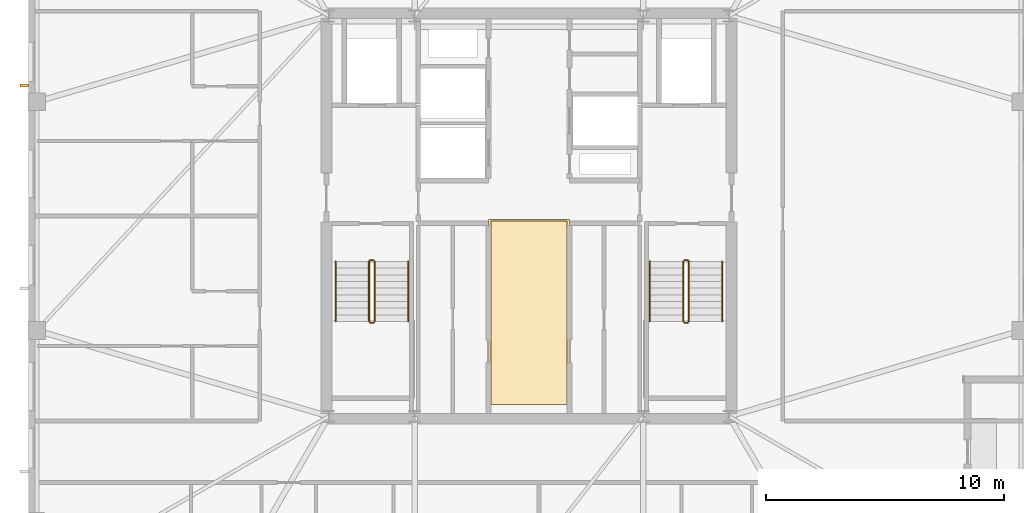
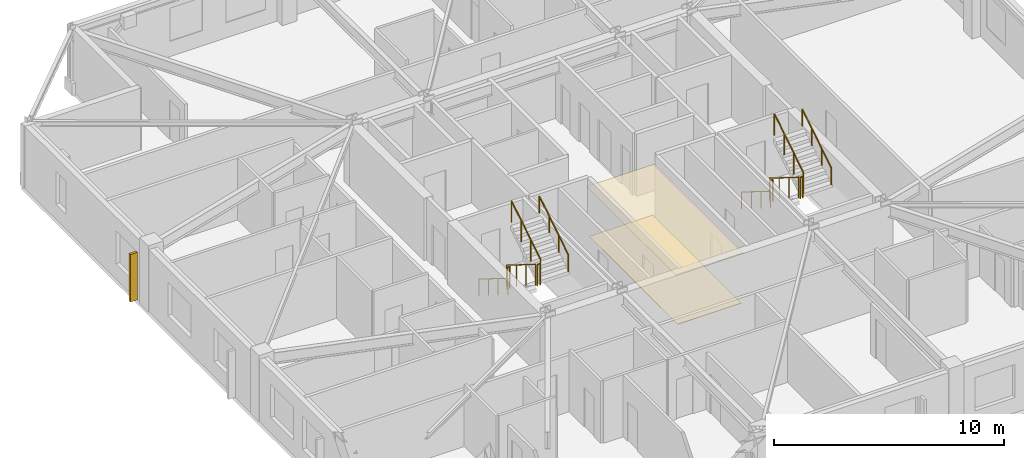
# One storey, part 13 of 15: 12 railings, 2 coverings, 1 shading device.
"""IFC4 building model written with IfcOpenShell, lengths in metres."""

import ifcopenshell
import ifcopenshell.guid

model = None  # the IFC model being written
_history = None  # IfcOwnerHistory: only IFC2X3 demands one
_inside = {}  # id of a spatial element -> (the spatial element, [elements in it])
_under = {}  # id of a project, library or spatial element -> (it, [spatial elements below it])
_declared = {}  # id of a project -> (the project, [libraries it declares])
_typed = {}  # id of a type object -> (the type object, [elements of that type])
_made_of = {}  # id of a material, layer set ... -> (it, [elements and type objects made of it])


def new_model(schema):
    """Start an empty IFC model of exactly this schema.

    Asked for "IFC4X3", IfcOpenShell would pick the latest addendum, in which some entities
    have other attributes; the version numbers below select the first issue.
    IFC2X3 requires an IfcOwnerHistory on every rooted entity: one is made here for all.
    """
    global model, _history
    if schema == "IFC4X3":
        model = ifcopenshell.file(schema_version=(4, 3, 0, 0))
    else:
        model = ifcopenshell.file(schema=schema)
    _inside.clear()
    _under.clear()
    _declared.clear()
    _typed.clear()
    _made_of.clear()
    _history = None
    if model.schema == "IFC2X3":
        org = make("IfcOrganization", Name="unknown")
        user = make(
            "IfcPersonAndOrganization",
            ThePerson=make("IfcPerson", FamilyName="unknown"),
            TheOrganization=org,
        )
        app = make(
            "IfcApplication",
            ApplicationDeveloper=org,
            Version="unknown",
            ApplicationFullName="unknown",
            ApplicationIdentifier="unknown",
        )
        _history = make(
            "IfcOwnerHistory",
            OwningUser=user,
            OwningApplication=app,
            ChangeAction="ADDED",
            CreationDate=0,
        )
    return model


def make(cls, **values):
    """One entity of the class cls with the attributes given. An attribute that is None is left unset."""
    return model.create_entity(
        cls, **{name: value for name, value in values.items() if value is not None}
    )


def rooted(cls, **values):
    """An entity with a GlobalId (a new one), such as an element, a storey or a relation."""
    return make(cls, GlobalId=ifcopenshell.guid.new(), OwnerHistory=_history, **values)


def si_unit(unit_type, name, prefix=None):
    """IfcSIUnit, for example si_unit("LENGTHUNIT", "METRE", prefix="MILLI")."""
    return make("IfcSIUnit", UnitType=unit_type, Prefix=prefix, Name=name)


def assignment(units):
    """IfcUnitAssignment: the units of a project."""
    return None if units is None else make("IfcUnitAssignment", Units=units)


def point(xyz):
    """IfcCartesianPoint."""
    return None if xyz is None else make("IfcCartesianPoint", Coordinates=xyz)


def direction(xyz):
    """IfcDirection."""
    return None if xyz is None else make("IfcDirection", DirectionRatios=xyz)


def frame(location, z_axis=None, x_axis=None):
    """IfcAxis2Placement3D, a coordinate frame: its origin and axes. An axis left out is left unset."""
    return make(
        "IfcAxis2Placement3D",
        Location=point(location),
        Axis=direction(z_axis),
        RefDirection=direction(x_axis),
    )


def frame_2d(location, x_axis=None):
    """IfcAxis2Placement2D, a coordinate frame in the plane: its origin and x axis."""
    return make(
        "IfcAxis2Placement2D", Location=point(location), RefDirection=direction(x_axis)
    )


def origin():
    """The frame at (0, 0, 0) with its axes left unset."""
    return frame((0.0, 0.0, 0.0))


def origin_2d():
    """The frame at (0, 0) in the plane with its x axis left unset."""
    return frame_2d((0.0, 0.0))


def place(relative_to, where):
    """IfcLocalPlacement: puts the frame where relative to a parent placement (None: the world)."""
    return make(
        "IfcLocalPlacement", PlacementRelTo=relative_to, RelativePlacement=where
    )


def context(
    kind, dimensions, precision=None, world=None, true_north=None, identifier=None
):
    """IfcGeometricRepresentationContext, for example the 3D "Model" context."""
    return make(
        "IfcGeometricRepresentationContext",
        ContextIdentifier=identifier,
        ContextType=kind,
        CoordinateSpaceDimension=dimensions,
        Precision=precision,
        WorldCoordinateSystem=world,
        TrueNorth=true_north,
    )


def subcontext(parent, identifier, kind, view, scale=None):
    """IfcGeometricRepresentationSubContext, for example "Body" below "Model"."""
    return make(
        "IfcGeometricRepresentationSubContext",
        ContextIdentifier=identifier,
        ContextType=kind,
        ParentContext=parent,
        TargetScale=scale,
        TargetView=view,
    )


def project(units=None, contexts=None):
    """IfcProject with its units and contexts."""
    return rooted(
        "IfcProject",
        Name="project",
        RepresentationContexts=contexts,
        UnitsInContext=assignment(units),
    )


def spatial(cls, under=None, at=None, **own):
    """A site, building, storey or space (cls), placed at a placement, below another one or the project."""
    s = rooted(cls, ObjectPlacement=at, **own)
    if under is not None:
        _under.setdefault(under.id(), (under, []))[1].append(s)
    return s


def polyline(points):
    """IfcPolyline through the points."""
    return make("IfcPolyline", Points=[point(p) for p in points])


def profile(cls, at=None, kind="AREA", **sizes):
    """A parametric profile (cls). Its sizes go by their IFC names, for example OverallWidth=200.0."""
    return make(cls, ProfileType=kind, Position=at, **sizes)


def rectangle(**sizes):
    """IfcRectangleProfileDef."""
    return profile("IfcRectangleProfileDef", **sizes)


def circle(**sizes):
    """IfcCircleProfileDef."""
    return profile("IfcCircleProfileDef", **sizes)


def outline(outer, holes=None, kind="AREA"):
    """IfcArbitraryClosedProfileDef: a profile drawn as a closed curve; with holes, ...WithVoids."""
    if holes is None:
        return make("IfcArbitraryClosedProfileDef", ProfileType=kind, OuterCurve=outer)
    return make(
        "IfcArbitraryProfileDefWithVoids",
        ProfileType=kind,
        OuterCurve=outer,
        InnerCurves=holes,
    )


def extrude(swept, where, along, depth):
    """IfcExtrudedAreaSolid: the profile swept, set in the frame where, extruded along a direction by depth."""
    return make(
        "IfcExtrudedAreaSolid",
        SweptArea=swept,
        Position=where,
        ExtrudedDirection=direction(along),
        Depth=depth,
    )


def shape(context_of_items, identifier, shape_type, items):
    """IfcShapeRepresentation: the items that make up one representation, for example the "Body"."""
    return make(
        "IfcShapeRepresentation",
        ContextOfItems=context_of_items,
        RepresentationIdentifier=identifier,
        RepresentationType=shape_type,
        Items=items,
    )


def material(Name=None, Category=None):
    """IfcMaterial."""
    return make("IfcMaterial", Name=Name, Category=Category)


def layer(
    of_material, thickness, ventilated=None, Name=None, Category=None, Priority=None
):
    """IfcMaterialLayer: one layer of a wall or slab, of a material (None: an air gap)."""
    return make(
        "IfcMaterialLayer",
        Material=of_material,
        LayerThickness=thickness,
        IsVentilated=ventilated,
        Name=Name,
        Category=Category,
        Priority=Priority,
    )


def layer_set(layers, Name=None):
    """IfcMaterialLayerSet."""
    return make("IfcMaterialLayerSet", MaterialLayers=layers, LayerSetName=Name)


def made_of(thing, what):
    """Note that an element or type object is made of a material, layer set ...; save() writes the relation."""
    if what is not None:
        _made_of.setdefault(what.id(), (what, []))[1].append(thing)
    return thing


def type_object(cls, material=None, **own):
    """A type object (cls), such as IfcWallType, which elements share."""
    return made_of(rooted(cls, **own), material)


def element(
    cls,
    number,
    at=None,
    inside=None,
    cuts=None,
    type_object=None,
    material=None,
    context=None,
    identifier="Body",
    shape_type=None,
    held_by="IfcProductDefinitionShape",
    body=None,
    shapes=None,
    **own,
):
    """One element of the class cls, such as IfcWall. Its Tag is "e" and its number.

    at: its placement. inside: the storey or other place that contains it. cuts: it is an
    opening in that element (IfcRelVoidsElement). A single representation is given by context,
    identifier, shape_type and body (its items); several are given by shapes. held_by: the class
    of the entity that holds the representations. save() writes the other relations.
    """
    e = rooted(cls, Tag="e%d" % number, ObjectPlacement=at, **own)
    if body is not None:
        shapes = [shape(context, identifier, shape_type, body)]
    if shapes is not None:
        e.Representation = make(held_by, Representations=shapes)
    if inside is not None:
        _inside.setdefault(inside.id(), (inside, []))[1].append(e)
    if cuts is not None:
        rooted(
            "IfcRelVoidsElement", RelatingBuildingElement=cuts, RelatedOpeningElement=e
        )
    if type_object is not None:
        _typed.setdefault(type_object.id(), (type_object, []))[1].append(e)
    return made_of(e, material)


def aggregate(whole, parts):
    """IfcRelAggregates: a whole, such as a stair, and the parts it consists of."""
    return rooted("IfcRelAggregates", RelatingObject=whole, RelatedObjects=parts)


def save(model, path):
    """Write the relations noted so far, then the file.

    IfcRelAggregates (storeys below a building ...), IfcRelContainedInSpatialStructure (elements
    in a storey), IfcRelDefinesByType, IfcRelAssociatesMaterial and IfcRelDeclares: one each for
    every whole, place, type object, material and project.
    """
    for whole, parts in _under.values():
        aggregate(whole, parts)
    for where, things in _inside.values():
        rooted(
            "IfcRelContainedInSpatialStructure",
            RelatedElements=things,
            RelatingStructure=where,
        )
    for kind, things in _typed.values():
        rooted("IfcRelDefinesByType", RelatedObjects=things, RelatingType=kind)
    for what, things in _made_of.values():
        rooted("IfcRelAssociatesMaterial", RelatedObjects=things, RelatingMaterial=what)
    for by, libraries in _declared.values():
        rooted("IfcRelDeclares", RelatingContext=by, RelatedDefinitions=libraries)
    model.write(path)


model = new_model("IFC4")

# Units and contexts
model_context = context("Model", 3, precision=1e-05, world=origin(), true_north=direction((0.0, 1.0)))
body_context = subcontext(model_context, "Body", "Model", "MODEL_VIEW")
ifc_project = project(units=[si_unit("LENGTHUNIT", "METRE"), si_unit("AREAUNIT", "SQUARE_METRE"), si_unit("VOLUMEUNIT", "CUBIC_METRE"), si_unit("PLANEANGLEUNIT", "RADIAN"), si_unit("MASSUNIT", "GRAM", prefix="KILO")], contexts=[model_context])

# Site, building, storey
site_placement = place(None, origin())
site = spatial("IfcSite", under=ifc_project, at=site_placement, CompositionType="ELEMENT")
building_placement = place(site_placement, origin())
building = spatial("IfcBuilding", under=site, at=building_placement, Name="Cairnveth Concourse Tower", CompositionType="ELEMENT")
storey_placement = place(building_placement, frame((0.0, 0.0, 291.0)))
storey = spatial("IfcBuildingStorey", under=building, at=storey_placement, Name="L80", CompositionType="ELEMENT", Elevation=291.0)

# Covering
ifc_material_1 = material(Name="Acoustic Mineral Fibre Ceiling", Category="gypsum")
ifc_layer_1 = layer(ifc_material_1, 0.02490234375)
ifc_layer_set_1 = layer_set([ifc_layer_1], Name="Acoustic Mineral Fibre Ceiling")
covering_type_1 = type_object("IfcCoveringType", Name="ACOUSTIC MINERAL FIBRE CEILING 25", PredefinedType="CEILING", material=ifc_layer_set_1)
covering_1_placement = place(storey_placement, frame((0.0, 0.0, 2.637939453125)))
element("IfcCovering", 1, at=covering_1_placement, inside=storey, type_object=covering_type_1, Name="Lift Lobby Acoustic Ceiling L80", PredefinedType="CEILING", context=body_context, shape_type="SweptSolid", body=[
    extrude(outline(polyline([(50.300048828125, 31.10009765625), (53.699951171875, 31.10009765625), (53.699951171875, 38.85009765625), (50.300048828125, 38.85009765625), (50.300048828125, 31.10009765625)])), origin(), (0.0, 0.0, 1.0), 0.025146484375),
])

# Shading device
ifc_material_2 = material(Name="Architectural Bronze Anodised Aluminium 6063-T6", Category="aluminium")
shading_device_type = type_object("IfcShadingDeviceType", Name="GOTHIC BRONZE VERTICAL LANCET FIN", PredefinedType="USERDEFINED", material=ifc_material_2)
shading_device_placement = place(storey_placement, frame((30.824951171875, 44.4814453125, 0.030029296875), z_axis=(0.0, 0.0, 1.0), x_axis=(0.0, 1.0, 0.0)))
element("IfcShadingDevice", 2, at=shading_device_placement, inside=storey, type_object=shading_device_type, Name="Gothic Bronze Vertical Fin L80-6-5", ObjectType="VERTICAL FIN", PredefinedType="USERDEFINED", context=body_context, shape_type="SweptSolid", body=[
    extrude(rectangle(XDim=0.1201171875, YDim=0.360107421875, at=origin_2d()), origin(), (0.0, 0.0, 1.0), 2.51806640625),
])

# Railings
ifc_material_3 = material(Name="Steel Grade 350", Category="steel")
railing_type_1 = type_object("IfcRailingType", Name="STAIR GUARDRAIL 1150", PredefinedType="GUARDRAIL", material=ifc_material_3)
railing_1_placement = place(storey_placement, frame((45.2900390625, 37.10009765625, 0.175048828125)))
element("IfcRailing", 3, at=railing_1_placement, inside=storey, type_object=railing_type_1, Name="L80 ST-1 stair guard 1", PredefinedType="GUARDRAIL", context=body_context, shape_type="SweptSolid", body=[
    extrude(circle(Radius=0.02392578125, at=origin_2d()), frame((0.0, 0.0, 1.1259765625), z_axis=(0.0, -0.848007534815, 0.529984170421), x_axis=(1.0, 0.0, 0.0)), (0.0, 0.0, 1.0), 2.9716796875),
    extrude(circle(Radius=0.02099609375, at=origin_2d()), origin(), (0.0, 0.0, 1.0), 1.101806640625),
    extrude(circle(Radius=0.02099609375, at=origin_2d()), frame((0.0, -0.840087890625, 0.52490234375)), (0.0, 0.0, 1.0), 1.101806640625),
    extrude(circle(Radius=0.02099609375, at=origin_2d()), frame((0.0, -1.679931640625, 1.050048828125)), (0.0, 0.0, 1.0), 1.101806640625),
    extrude(circle(Radius=0.02099609375, at=origin_2d()), frame((0.0, -2.52001953125, 1.574951171875)), (0.0, 0.0, 1.0), 1.101806640625),
])
railing_2_placement = place(storey_placement, frame((45.340087890625, 34.530029296875, 1.75)))
element("IfcRailing", 4, at=railing_2_placement, inside=storey, type_object=railing_type_1, Name="L80 ST-1 stair guard 2", PredefinedType="GUARDRAIL", context=body_context, shape_type="SweptSolid", body=[
    extrude(circle(Radius=0.02392578125, at=origin_2d()), frame((0.0, 0.0, 1.1259765625), z_axis=(1.0, 0.0, 0.0), x_axis=(0.0, 1.0, 0.0)), (0.0, 0.0, 1.0), 0.139892578125),
    extrude(circle(Radius=0.02099609375, at=origin_2d()), origin(), (0.0, 0.0, 1.0), 1.101806640625),
    extrude(circle(Radius=0.02099609375, at=origin_2d()), frame((0.139892578125, 0.0, 0.0)), (0.0, 0.0, 1.0), 1.101806640625),
])
railing_3_placement = place(storey_placement, frame((45.530029296875, 34.580078125, 1.925048828125)))
element("IfcRailing", 5, at=railing_3_placement, inside=storey, type_object=railing_type_1, Name="L80 ST-1 stair guard 3", PredefinedType="GUARDRAIL", context=body_context, shape_type="SweptSolid", body=[
    extrude(circle(Radius=0.02392578125, at=origin_2d()), frame((0.0, 0.0, 1.1259765625), z_axis=(0.0, 0.848007534815, 0.529984170421), x_axis=(-1.0, 0.0, 0.0)), (0.0, 0.0, 1.0), 2.9716796875),
    extrude(circle(Radius=0.02099609375, at=origin_2d()), origin(), (0.0, 0.0, 1.0), 1.101806640625),
    extrude(circle(Radius=0.02099609375, at=origin_2d()), frame((0.0, 0.840087890625, 0.52490234375)), (0.0, 0.0, 1.0), 1.101806640625),
    extrude(circle(Radius=0.02099609375, at=origin_2d()), frame((0.0, 1.679931640625, 1.050048828125)), (0.0, 0.0, 1.0), 1.101806640625),
    extrude(circle(Radius=0.02099609375, at=origin_2d()), frame((0.0, 2.52001953125, 1.574951171875)), (0.0, 0.0, 1.0), 1.101806640625),
])
railing_4_placement = place(storey_placement, frame((45.340087890625, 37.14990234375, 0.0)))
element("IfcRailing", 6, at=railing_4_placement, inside=storey, type_object=railing_type_1, Name="L80 ST-1 stair guard 4", PredefinedType="GUARDRAIL", context=body_context, shape_type="SweptSolid", body=[
    extrude(circle(Radius=0.02392578125, at=origin_2d()), frame((0.0, 0.0, 1.1259765625), z_axis=(1.0, 0.0, 0.0), x_axis=(0.0, 1.0, 0.0)), (0.0, 0.0, 1.0), 0.139892578125),
    extrude(circle(Radius=0.02099609375, at=origin_2d()), origin(), (0.0, 0.0, 1.0), 1.101806640625),
    extrude(circle(Radius=0.02099609375, at=origin_2d()), frame((0.139892578125, 0.0, 0.0)), (0.0, 0.0, 1.0), 1.101806640625),
])
railing_5_placement = place(storey_placement, frame((58.469970703125, 37.10009765625, 0.175048828125)))
element("IfcRailing", 7, at=railing_5_placement, inside=storey, type_object=railing_type_1, Name="L80 ST-2 stair guard 1", PredefinedType="GUARDRAIL", context=body_context, shape_type="SweptSolid", body=[
    extrude(circle(Radius=0.02392578125, at=origin_2d()), frame((0.0, 0.0, 1.1259765625), z_axis=(0.0, -0.848007534815, 0.529984170421), x_axis=(1.0, 0.0, 0.0)), (0.0, 0.0, 1.0), 2.9716796875),
    extrude(circle(Radius=0.02099609375, at=origin_2d()), origin(), (0.0, 0.0, 1.0), 1.101806640625),
    extrude(circle(Radius=0.02099609375, at=origin_2d()), frame((0.0, -0.840087890625, 0.52490234375)), (0.0, 0.0, 1.0), 1.101806640625),
    extrude(circle(Radius=0.02099609375, at=origin_2d()), frame((0.0, -1.679931640625, 1.050048828125)), (0.0, 0.0, 1.0), 1.101806640625),
    extrude(circle(Radius=0.02099609375, at=origin_2d()), frame((0.0, -2.52001953125, 1.574951171875)), (0.0, 0.0, 1.0), 1.101806640625),
])
railing_6_placement = place(storey_placement, frame((58.52001953125, 34.530029296875, 1.75)))
element("IfcRailing", 8, at=railing_6_placement, inside=storey, type_object=railing_type_1, Name="L80 ST-2 stair guard 2", PredefinedType="GUARDRAIL", context=body_context, shape_type="SweptSolid", body=[
    extrude(circle(Radius=0.02392578125, at=origin_2d()), frame((0.0, 0.0, 1.1259765625), z_axis=(1.0, 0.0, 0.0), x_axis=(0.0, 1.0, 0.0)), (0.0, 0.0, 1.0), 0.139892578125),
    extrude(circle(Radius=0.02099609375, at=origin_2d()), origin(), (0.0, 0.0, 1.0), 1.101806640625),
    extrude(circle(Radius=0.02099609375, at=origin_2d()), frame((0.139892578125, 0.0, 0.0)), (0.0, 0.0, 1.0), 1.101806640625),
])
railing_7_placement = place(storey_placement, frame((58.7099609375, 34.580078125, 1.925048828125)))
element("IfcRailing", 9, at=railing_7_placement, inside=storey, type_object=railing_type_1, Name="L80 ST-2 stair guard 3", PredefinedType="GUARDRAIL", context=body_context, shape_type="SweptSolid", body=[
    extrude(circle(Radius=0.02392578125, at=origin_2d()), frame((0.0, 0.0, 1.1259765625), z_axis=(0.0, 0.848007534815, 0.529984170421), x_axis=(-1.0, 0.0, 0.0)), (0.0, 0.0, 1.0), 2.9716796875),
    extrude(circle(Radius=0.02099609375, at=origin_2d()), origin(), (0.0, 0.0, 1.0), 1.101806640625),
    extrude(circle(Radius=0.02099609375, at=origin_2d()), frame((0.0, 0.840087890625, 0.52490234375)), (0.0, 0.0, 1.0), 1.101806640625),
    extrude(circle(Radius=0.02099609375, at=origin_2d()), frame((0.0, 1.679931640625, 1.050048828125)), (0.0, 0.0, 1.0), 1.101806640625),
    extrude(circle(Radius=0.02099609375, at=origin_2d()), frame((0.0, 2.52001953125, 1.574951171875)), (0.0, 0.0, 1.0), 1.101806640625),
])
railing_8_placement = place(storey_placement, frame((58.52001953125, 37.14990234375, 0.0)))
element("IfcRailing", 10, at=railing_8_placement, inside=storey, type_object=railing_type_1, Name="L80 ST-2 stair guard 4", PredefinedType="GUARDRAIL", context=body_context, shape_type="SweptSolid", body=[
    extrude(circle(Radius=0.02392578125, at=origin_2d()), frame((0.0, 0.0, 1.1259765625), z_axis=(1.0, 0.0, 0.0), x_axis=(0.0, 1.0, 0.0)), (0.0, 0.0, 1.0), 0.139892578125),
    extrude(circle(Radius=0.02099609375, at=origin_2d()), origin(), (0.0, 0.0, 1.0), 1.101806640625),
    extrude(circle(Radius=0.02099609375, at=origin_2d()), frame((0.139892578125, 0.0, 0.0)), (0.0, 0.0, 1.0), 1.101806640625),
])
railing_type_2 = type_object("IfcRailingType", Name="STAIR WALL HANDRAIL 900", PredefinedType="HANDRAIL", material=ifc_material_3)
railing_9_placement = place(storey_placement, frame((43.889892578125, 37.10009765625, 0.175048828125)))
element("IfcRailing", 11, at=railing_9_placement, inside=storey, type_object=railing_type_2, Name="L80 ST-1 stair handrail 1", PredefinedType="HANDRAIL", context=body_context, shape_type="SweptSolid", body=[
    extrude(circle(Radius=0.02392578125, at=origin_2d()), frame((0.0, 0.0, 0.8759765625), z_axis=(0.0, -0.848007534815, 0.529984170421), x_axis=(1.0, 0.0, 0.0)), (0.0, 0.0, 1.0), 2.9716796875),
    extrude(circle(Radius=0.02099609375, at=origin_2d()), origin(), (0.0, 0.0, 1.0), 0.851806640625),
    extrude(circle(Radius=0.02099609375, at=origin_2d()), frame((0.0, -0.840087890625, 0.52490234375)), (0.0, 0.0, 1.0), 0.851806640625),
    extrude(circle(Radius=0.02099609375, at=origin_2d()), frame((0.0, -1.679931640625, 1.050048828125)), (0.0, 0.0, 1.0), 0.851806640625),
    extrude(circle(Radius=0.02099609375, at=origin_2d()), frame((0.0, -2.52001953125, 1.574951171875)), (0.0, 0.0, 1.0), 0.851806640625),
])
railing_10_placement = place(storey_placement, frame((46.929931640625, 34.580078125, 1.925048828125)))
element("IfcRailing", 12, at=railing_10_placement, inside=storey, type_object=railing_type_2, Name="L80 ST-1 stair handrail 2", PredefinedType="HANDRAIL", context=body_context, shape_type="SweptSolid", body=[
    extrude(circle(Radius=0.02392578125, at=origin_2d()), frame((0.0, 0.0, 0.8759765625), z_axis=(0.0, 0.848007534815, 0.529984170421), x_axis=(-1.0, 0.0, 0.0)), (0.0, 0.0, 1.0), 2.9716796875),
    extrude(circle(Radius=0.02099609375, at=origin_2d()), origin(), (0.0, 0.0, 1.0), 0.851806640625),
    extrude(circle(Radius=0.02099609375, at=origin_2d()), frame((0.0, 0.840087890625, 0.52490234375)), (0.0, 0.0, 1.0), 0.851806640625),
    extrude(circle(Radius=0.02099609375, at=origin_2d()), frame((0.0, 1.679931640625, 1.050048828125)), (0.0, 0.0, 1.0), 0.851806640625),
    extrude(circle(Radius=0.02099609375, at=origin_2d()), frame((0.0, 2.52001953125, 1.574951171875)), (0.0, 0.0, 1.0), 0.851806640625),
])
railing_11_placement = place(storey_placement, frame((57.070068359375, 37.10009765625, 0.175048828125)))
element("IfcRailing", 13, at=railing_11_placement, inside=storey, type_object=railing_type_2, Name="L80 ST-2 stair handrail 1", PredefinedType="HANDRAIL", context=body_context, shape_type="SweptSolid", body=[
    extrude(circle(Radius=0.02392578125, at=origin_2d()), frame((0.0, 0.0, 0.8759765625), z_axis=(0.0, -0.848007534815, 0.529984170421), x_axis=(1.0, 0.0, 0.0)), (0.0, 0.0, 1.0), 2.9716796875),
    extrude(circle(Radius=0.02099609375, at=origin_2d()), origin(), (0.0, 0.0, 1.0), 0.851806640625),
    extrude(circle(Radius=0.02099609375, at=origin_2d()), frame((0.0, -0.840087890625, 0.52490234375)), (0.0, 0.0, 1.0), 0.851806640625),
    extrude(circle(Radius=0.02099609375, at=origin_2d()), frame((0.0, -1.679931640625, 1.050048828125)), (0.0, 0.0, 1.0), 0.851806640625),
    extrude(circle(Radius=0.02099609375, at=origin_2d()), frame((0.0, -2.52001953125, 1.574951171875)), (0.0, 0.0, 1.0), 0.851806640625),
])
railing_12_placement = place(storey_placement, frame((60.110107421875, 34.580078125, 1.925048828125)))
element("IfcRailing", 14, at=railing_12_placement, inside=storey, type_object=railing_type_2, Name="L80 ST-2 stair handrail 2", PredefinedType="HANDRAIL", context=body_context, shape_type="SweptSolid", body=[
    extrude(circle(Radius=0.02392578125, at=origin_2d()), frame((0.0, 0.0, 0.8759765625), z_axis=(0.0, 0.848007534815, 0.529984170421), x_axis=(-1.0, 0.0, 0.0)), (0.0, 0.0, 1.0), 2.9716796875),
    extrude(circle(Radius=0.02099609375, at=origin_2d()), origin(), (0.0, 0.0, 1.0), 0.851806640625),
    extrude(circle(Radius=0.02099609375, at=origin_2d()), frame((0.0, 0.840087890625, 0.52490234375)), (0.0, 0.0, 1.0), 0.851806640625),
    extrude(circle(Radius=0.02099609375, at=origin_2d()), frame((0.0, 1.679931640625, 1.050048828125)), (0.0, 0.0, 1.0), 0.851806640625),
    extrude(circle(Radius=0.02099609375, at=origin_2d()), frame((0.0, 2.52001953125, 1.574951171875)), (0.0, 0.0, 1.0), 0.851806640625),
])

# Covering
ifc_material_4 = material(Name="Vitrified Stoneware Tile Flooring", Category="masonry")
ifc_layer_2 = layer(ifc_material_4, 0.02001953125)
ifc_layer_set_2 = layer_set([ifc_layer_2], Name="Vitrified Stoneware Tile Flooring")
covering_type_2 = type_object("IfcCoveringType", Name="VITRIFIED STONEWARE LOBBY FLOORING 20", PredefinedType="FLOORING", material=ifc_layer_set_2)
covering_2_placement = place(storey_placement, origin())
element("IfcCovering", 15, at=covering_2_placement, inside=storey, type_object=covering_type_2, Name="Lift Lobby Stoneware Flooring L80", PredefinedType="FLOORING", context=body_context, shape_type="SweptSolid", body=[
    extrude(outline(polyline([(50.39990234375, 31.10009765625), (53.60009765625, 31.10009765625), (53.60009765625, 38.800048828125), (50.39990234375, 38.800048828125), (50.39990234375, 31.10009765625)])), origin(), (0.0, 0.0, 1.0), 0.02001953125),
])

save(model, "model.ifc")
